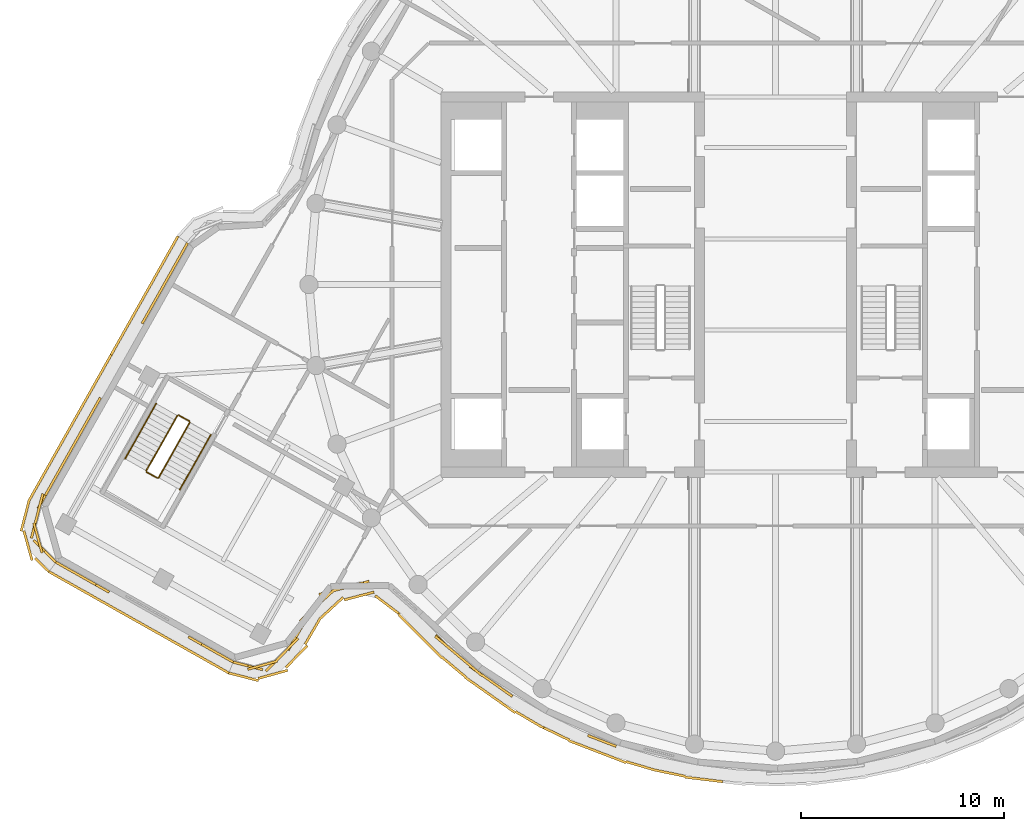
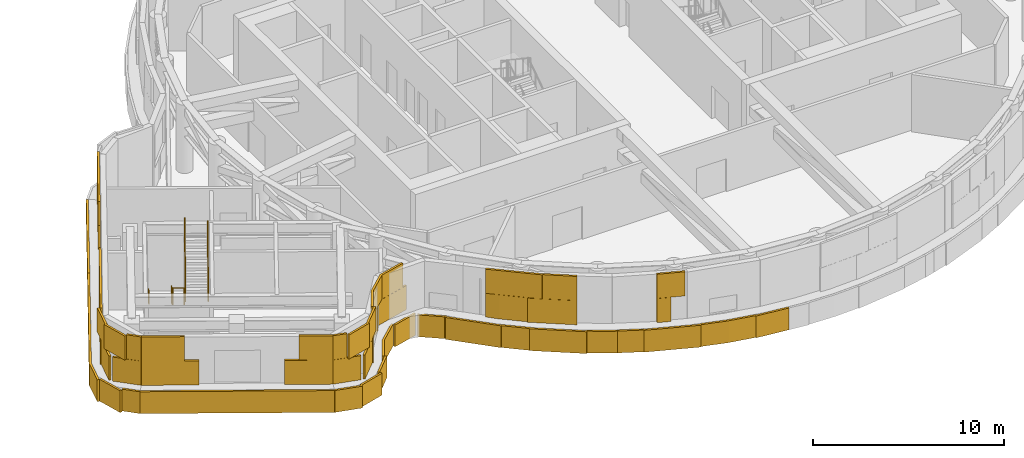
# One storey, part 11 of 15: 6 coverings, 6 railings.
"""IFC4 building model written with IfcOpenShell, lengths in metres."""

from ifc_helpers import new_model, si_unit, direction, frame, origin, origin_2d, place, context, subcontext, project, spatial, rectangle, circle, extrude, material, layer, layer_set, type_object, element, save


model = new_model("IFC4")

# Units and contexts
model_context = context("Model", 3, precision=1e-05, world=origin(), true_north=direction((0.0, 1.0)))
body_context = subcontext(model_context, "Body", "Model", "MODEL_VIEW")
ifc_project = project(units=[si_unit("LENGTHUNIT", "METRE"), si_unit("AREAUNIT", "SQUARE_METRE"), si_unit("VOLUMEUNIT", "CUBIC_METRE"), si_unit("PLANEANGLEUNIT", "RADIAN"), si_unit("MASSUNIT", "GRAM", prefix="KILO")], contexts=[model_context])

# Site, building, storey
site_placement = place(None, origin())
site = spatial("IfcSite", under=ifc_project, at=site_placement, CompositionType="ELEMENT")
building_placement = place(site_placement, origin())
building = spatial("IfcBuilding", under=site, at=building_placement, Name="Tamarind Cross Interchange Tower", CompositionType="ELEMENT")
storey_placement = place(building_placement, frame((0.0, 0.0, 252.300048828125)))
storey = spatial("IfcBuildingStorey", under=building, at=storey_placement, Name="L64", CompositionType="ELEMENT", Elevation=252.300048828125)

# Railings
ifc_material_1 = material(Name="Stair guard")
railing_type_1 = type_object("IfcRailingType", Name="Stair guard", PredefinedType="GUARDRAIL", material=ifc_material_1)
railing_1_placement = place(storey_placement, frame((-29.484130859375, -6.45751953125, 0.173095703125)))
element("IfcRailing", 1, at=railing_1_placement, inside=storey, type_object=railing_type_1, Name="L64 ST5 stair guard 1", PredefinedType="GUARDRAIL", context=body_context, shape_type="SweptSolid", body=[
    extrude(circle(Radius=0.02392578125, at=origin_2d()), frame((0.0, 0.0, 1.076171875), z_axis=(-0.408664103036, -0.725225712974, 0.554113089659), x_axis=(0.871203322264, -0.490922367872, 0.0)), (0.0, 0.0, 1.0), 3.748046875),
    extrude(circle(Radius=0.02099609375, at=origin_2d()), origin(), (0.0, 0.0, 1.0), 1.052001953125),
    extrude(circle(Radius=0.02099609375, at=origin_2d()), frame((-0.3828125, -0.6796875, 0.519287109375)), (0.0, 0.0, 1.0), 1.052001953125),
    extrude(circle(Radius=0.02099609375, at=origin_2d()), frame((-0.765869140625, -1.359130859375, 1.03857421875)), (0.0, 0.0, 1.0), 1.052001953125),
    extrude(circle(Radius=0.02099609375, at=origin_2d()), frame((-1.14892578125, -2.03857421875, 1.5576171875)), (0.0, 0.0, 1.0), 1.052001953125),
    extrude(circle(Radius=0.02099609375, at=origin_2d()), frame((-1.53173828125, -2.71826171875, 2.076904296875)), (0.0, 0.0, 1.0), 1.052001953125),
])
railing_2_placement = place(storey_placement, frame((-30.996826171875, -9.243896484375, 2.25)))
element("IfcRailing", 2, at=railing_2_placement, inside=storey, type_object=railing_type_1, Name="L64 ST5 stair guard 2", PredefinedType="GUARDRAIL", context=body_context, shape_type="SweptSolid", body=[
    extrude(circle(Radius=0.02392578125, at=origin_2d()), frame((0.0, 0.0, 1.076171875), z_axis=(0.87128194161, -0.490782821851, 0.0), x_axis=(0.490782821851, 0.87128194161, 0.0)), (0.0, 0.0, 1.0), 0.599853515625),
    extrude(circle(Radius=0.02099609375, at=origin_2d()), origin(), (0.0, 0.0, 1.0), 1.052001953125),
    extrude(circle(Radius=0.02099609375, at=origin_2d()), frame((0.522705078125, -0.29443359375, 0.0)), (0.0, 0.0, 1.0), 1.052001953125),
])
railing_3_placement = place(storey_placement, frame((-30.406005859375, -9.519287109375, 2.423095703125)))
element("IfcRailing", 3, at=railing_3_placement, inside=storey, type_object=railing_type_1, Name="L64 ST5 stair guard 3", PredefinedType="GUARDRAIL", context=body_context, shape_type="SweptSolid", body=[
    extrude(circle(Radius=0.02392578125, at=origin_2d()), frame((0.0, 0.0, 1.076171875), z_axis=(0.408683408174, 0.725194833154, 0.554139265754), x_axis=(-0.871184462408, 0.490955835548, 0.0)), (0.0, 0.0, 1.0), 3.748046875),
    extrude(circle(Radius=0.02099609375, at=origin_2d()), origin(), (0.0, 0.0, 1.0), 1.052001953125),
    extrude(circle(Radius=0.02099609375, at=origin_2d()), frame((0.3828125, 0.679443359375, 0.519287109375)), (0.0, 0.0, 1.0), 1.052001953125),
    extrude(circle(Radius=0.02099609375, at=origin_2d()), frame((0.765869140625, 1.35888671875, 1.03857421875)), (0.0, 0.0, 1.0), 1.052001953125),
    extrude(circle(Radius=0.02099609375, at=origin_2d()), frame((1.14892578125, 2.03857421875, 1.5576171875)), (0.0, 0.0, 1.0), 1.052001953125),
    extrude(circle(Radius=0.02099609375, at=origin_2d()), frame((1.53173828125, 2.718017578125, 2.076904296875)), (0.0, 0.0, 1.0), 1.052001953125),
])
railing_4_placement = place(storey_placement, frame((-29.416015625, -6.4384765625, 0.0)))
element("IfcRailing", 4, at=railing_4_placement, inside=storey, type_object=railing_type_1, Name="L64 ST5 stair guard 4", PredefinedType="GUARDRAIL", context=body_context, shape_type="SweptSolid", body=[
    extrude(circle(Radius=0.02392578125, at=origin_2d()), frame((0.0, 0.0, 1.076171875), z_axis=(0.87110790525, -0.491091658868, 0.0), x_axis=(0.491091658868, 0.87110790525, 0.0)), (0.0, 0.0, 1.0), 0.60009765625),
    extrude(circle(Radius=0.02099609375, at=origin_2d()), origin(), (0.0, 0.0, 1.0), 1.052001953125),
    extrude(circle(Radius=0.02099609375, at=origin_2d()), frame((0.522705078125, -0.294677734375, 0.0)), (0.0, 0.0, 1.0), 1.052001953125),
])
ifc_material_2 = material(Name="Stair handrail")
railing_type_2 = type_object("IfcRailingType", Name="Stair handrail", PredefinedType="HANDRAIL", material=ifc_material_2)
railing_5_placement = place(storey_placement, frame((-30.529541015625, -5.868408203125, 0.173095703125)))
element("IfcRailing", 5, at=railing_5_placement, inside=storey, type_object=railing_type_2, Name="L64 ST5 stair handrail 1", PredefinedType="HANDRAIL", context=body_context, shape_type="SweptSolid", body=[
    extrude(circle(Radius=0.02392578125, at=origin_2d()), frame((0.0, 0.0, 0.8759765625), z_axis=(-0.408664103036, -0.725225712974, 0.554113089659), x_axis=(0.871203322264, -0.490922367872, 0.0)), (0.0, 0.0, 1.0), 3.748046875),
    extrude(circle(Radius=0.02099609375, at=origin_2d()), origin(), (0.0, 0.0, 1.0), 0.851806640625),
    extrude(circle(Radius=0.02099609375, at=origin_2d()), frame((-0.3828125, -0.6796875, 0.519287109375)), (0.0, 0.0, 1.0), 0.851806640625),
    extrude(circle(Radius=0.02099609375, at=origin_2d()), frame((-0.765869140625, -1.359130859375, 1.03857421875)), (0.0, 0.0, 1.0), 0.851806640625),
    extrude(circle(Radius=0.02099609375, at=origin_2d()), frame((-1.14892578125, -2.03857421875, 1.5576171875)), (0.0, 0.0, 1.0), 0.851806640625),
    extrude(circle(Radius=0.02099609375, at=origin_2d()), frame((-1.53173828125, -2.71826171875, 2.076904296875)), (0.0, 0.0, 1.0), 0.851806640625),
])
railing_6_placement = place(storey_placement, frame((-29.360595703125, -10.1083984375, 2.423095703125)))
element("IfcRailing", 6, at=railing_6_placement, inside=storey, type_object=railing_type_2, Name="L64 ST5 stair handrail 2", PredefinedType="HANDRAIL", context=body_context, shape_type="SweptSolid", body=[
    extrude(circle(Radius=0.02392578125, at=origin_2d()), frame((0.0, 0.0, 0.8759765625), z_axis=(0.408683408174, 0.725194833154, 0.554139265754), x_axis=(-0.871184462408, 0.490955835548, 0.0)), (0.0, 0.0, 1.0), 3.748046875),
    extrude(circle(Radius=0.02099609375, at=origin_2d()), origin(), (0.0, 0.0, 1.0), 0.851806640625),
    extrude(circle(Radius=0.02099609375, at=origin_2d()), frame((0.3828125, 0.679443359375, 0.519287109375)), (0.0, 0.0, 1.0), 0.851806640625),
    extrude(circle(Radius=0.02099609375, at=origin_2d()), frame((0.765869140625, 1.35888671875, 1.03857421875)), (0.0, 0.0, 1.0), 0.851806640625),
    extrude(circle(Radius=0.02099609375, at=origin_2d()), frame((1.14892578125, 2.03857421875, 1.5576171875)), (0.0, 0.0, 1.0), 0.851806640625),
    extrude(circle(Radius=0.02099609375, at=origin_2d()), frame((1.53173828125, 2.718017578125, 2.076904296875)), (0.0, 0.0, 1.0), 0.851806640625),
])

# Coverings
ifc_material_3 = material(Name="Terracotta", Category="masonry")
ifc_layer = layer(ifc_material_3, 0.1201171875)
ifc_layer_set = layer_set([ifc_layer], Name="Terracotta")
covering_type = type_object("IfcCoveringType", Name="Terracotta baguette screen unit", PredefinedType="MOLDING", material=ifc_layer_set)
covering_1_placement = place(storey_placement, origin())
element("IfcCovering", 7, at=covering_1_placement, inside=storey, type_object=covering_type, Name="SCR-L64-00-00", PredefinedType="MOLDING", context=body_context, shape_type="SweptSolid", body=[
    extrude(rectangle(XDim=1.510009765625, YDim=0.1201171875, at=origin_2d()), frame((-34.813232421875, -14.056884765625, 1.404052734375), z_axis=(0.0, 0.0, 1.0), x_axis=(0.871200102162, -0.490928082303, 0.0)), (0.0, 0.0, 1.0), 1.5419921875),
    extrude(rectangle(XDim=1.52001953125, YDim=0.1201171875, at=origin_2d()), frame((-33.50634765625, -14.79345703125, 1.404052734375), z_axis=(0.0, 0.0, 1.0), x_axis=(0.871200102162, -0.490928082303, 0.0)), (0.0, 0.0, 1.0), 1.5419921875),
    extrude(rectangle(XDim=1.52001953125, YDim=0.1201171875, at=origin_2d()), frame((-28.279052734375, -17.739013671875, 1.404052734375), z_axis=(0.0, 0.0, 1.0), x_axis=(0.871200102162, -0.490928082303, 0.0)), (0.0, 0.0, 1.0), 1.5419921875),
    extrude(rectangle(XDim=1.03369140625, YDim=0.1201171875, at=origin_2d()), frame((-27.179931640625, -18.3583984375, 1.404052734375), z_axis=(0.0, 0.0, 1.0), x_axis=(0.871200102162, -0.490928082303, 0.0)), (0.0, 0.0, 1.0), 1.5419921875),
    extrude(rectangle(XDim=0.760009765625, YDim=0.1201171875, at=origin_2d()), frame((-35.139892578125, -13.872802734375, 2.953857421875), z_axis=(0.0, 0.0, 1.0), x_axis=(0.871200102162, -0.490928082303, 0.0)), (0.0, 0.0, 1.0), 1.5419921875),
    extrude(rectangle(XDim=1.52001953125, YDim=0.1201171875, at=origin_2d()), frame((-34.15966796875, -14.425048828125, 2.953857421875), z_axis=(0.0, 0.0, 1.0), x_axis=(0.871200102162, -0.490928082303, 0.0)), (0.0, 0.0, 1.0), 1.5419921875),
    extrude(rectangle(XDim=1.52001953125, YDim=0.1201171875, at=origin_2d()), frame((-27.625732421875, -18.107177734375, 2.953857421875), z_axis=(0.0, 0.0, 1.0), x_axis=(0.871200102162, -0.490928082303, 0.0)), (0.0, 0.0, 1.0), 1.5419921875),
    extrude(rectangle(XDim=0.28369140625, YDim=0.1201171875, at=origin_2d()), frame((-26.85302734375, -18.54248046875, 2.953857421875), z_axis=(0.0, 0.0, 1.0), x_axis=(0.871200102162, -0.490928082303, 0.0)), (0.0, 0.0, 1.0), 1.5419921875),
    extrude(rectangle(XDim=1.510009765625, YDim=0.1201171875, at=origin_2d()), frame((-35.156494140625, -14.5224609375, 0.00390625), z_axis=(0.0, 0.0, 1.0), x_axis=(0.871200102162, -0.490928082303, 0.0)), (0.0, 0.0, 1.0), 1.39208984375),
    extrude(rectangle(XDim=1.52001953125, YDim=0.1201171875, at=origin_2d()), frame((-33.85400390625, -15.25634765625, 0.00390625), z_axis=(0.0, 0.0, 1.0), x_axis=(0.871200102162, -0.490928082303, 0.0)), (0.0, 0.0, 1.0), 1.39208984375),
    extrude(rectangle(XDim=1.52001953125, YDim=0.1201171875, at=origin_2d()), frame((-32.547119140625, -15.99267578125, 0.00390625), z_axis=(0.0, 0.0, 1.0), x_axis=(0.871200102162, -0.490928082303, 0.0)), (0.0, 0.0, 1.0), 1.39208984375),
    extrude(rectangle(XDim=1.52001953125, YDim=0.1201171875, at=origin_2d()), frame((-31.240478515625, -16.72900390625, 0.00390625), z_axis=(0.0, 0.0, 1.0), x_axis=(0.871200102162, -0.490928082303, 0.0)), (0.0, 0.0, 1.0), 1.39208984375),
    extrude(rectangle(XDim=1.52001953125, YDim=0.1201171875, at=origin_2d()), frame((-29.93359375, -17.465576171875, 0.00390625), z_axis=(0.0, 0.0, 1.0), x_axis=(0.871200102162, -0.490928082303, 0.0)), (0.0, 0.0, 1.0), 1.39208984375),
    extrude(rectangle(XDim=1.52001953125, YDim=0.1201171875, at=origin_2d()), frame((-28.626708984375, -18.201904296875, 0.00390625), z_axis=(0.0, 0.0, 1.0), x_axis=(0.871200102162, -0.490928082303, 0.0)), (0.0, 0.0, 1.0), 1.39208984375),
    extrude(rectangle(XDim=1.184814453125, YDim=0.1201171875, at=origin_2d()), frame((-27.466064453125, -18.85595703125, 0.00390625), z_axis=(0.0, 0.0, 1.0), x_axis=(0.871200102162, -0.490928082303, 0.0)), (0.0, 0.0, 1.0), 1.39208984375),
])
covering_2_placement = place(storey_placement, origin())
element("IfcCovering", 8, at=covering_2_placement, inside=storey, type_object=covering_type, Name="SCR-L64-01-00", PredefinedType="MOLDING", context=body_context, shape_type="SweptSolid", body=[
    extrude(rectangle(XDim=1.510009765625, YDim=0.1201171875, at=origin_2d()), frame((-26.007568359375, -18.796142578125, 1.404052734375), z_axis=(0.0, 0.0, 1.0), x_axis=(0.968576216019, -0.248716935012, 0.0)), (0.0, 0.0, 1.0), 1.5419921875),
    extrude(rectangle(XDim=1.52001953125, YDim=0.1201171875, at=origin_2d()), frame((-24.586181640625, -18.5166015625, 1.404052734375), z_axis=(0.0, 0.0, 1.0), x_axis=(0.699683292082, 0.714453141068, 0.0)), (0.0, 0.0, 1.0), 1.5419921875),
    extrude(rectangle(XDim=1.52001953125, YDim=0.1201171875, at=origin_2d()), frame((-23.639404296875, -17.366455078125, 1.404052734375), z_axis=(0.0, 0.0, 1.0), x_axis=(0.503460843002, 0.86401804354, 0.0)), (0.0, 0.0, 1.0), 1.5419921875),
    extrude(rectangle(XDim=1.52001953125, YDim=0.1201171875, at=origin_2d()), frame((-22.87548828125, -16.07763671875, 1.404052734375), z_axis=(0.0, 0.0, 1.0), x_axis=(0.736050390788, 0.676926748046, 0.0)), (0.0, 0.0, 1.0), 1.5419921875),
    extrude(rectangle(XDim=1.52001953125, YDim=0.1201171875, at=origin_2d()), frame((-21.7607421875, -15.081787109375, 1.404052734375), z_axis=(0.0, 0.0, 1.0), x_axis=(0.967453487503, 0.253048907365, 0.0)), (0.0, 0.0, 1.0), 1.5419921875),
    extrude(rectangle(XDim=1.04150390625, YDim=0.1201171875, at=origin_2d()), frame((-20.5361328125, -14.761474609375, 1.404052734375), z_axis=(0.0, 0.0, 1.0), x_axis=(0.967453487503, 0.253048907365, 0.0)), (0.0, 0.0, 1.0), 1.5419921875),
    extrude(rectangle(XDim=0.760009765625, YDim=0.1201171875, at=origin_2d()), frame((-26.37060546875, -18.702880859375, 2.953857421875), z_axis=(0.0, 0.0, 1.0), x_axis=(0.968576216019, -0.248716935012, 0.0)), (0.0, 0.0, 1.0), 1.5419921875),
    extrude(rectangle(XDim=1.52001953125, YDim=0.1201171875, at=origin_2d()), frame((-25.283447265625, -18.7607421875, 2.953857421875), z_axis=(0.0, 0.0, 1.0), x_axis=(0.96317007608, 0.268892923938, 0.0)), (0.0, 0.0, 1.0), 1.5419921875),
    extrude(rectangle(XDim=1.52001953125, YDim=0.1201171875, at=origin_2d()), frame((-24.061279296875, -17.98095703125, 2.953857421875), z_axis=(0.0, 0.0, 1.0), x_axis=(0.699683292082, 0.714453141068, 0.0)), (0.0, 0.0, 1.0), 1.5419921875),
    extrude(rectangle(XDim=1.52001953125, YDim=0.1201171875, at=origin_2d()), frame((-23.261962890625, -16.718505859375, 2.953857421875), z_axis=(0.0, 0.0, 1.0), x_axis=(0.503460843002, 0.86401804354, 0.0)), (0.0, 0.0, 1.0), 1.5419921875),
    extrude(rectangle(XDim=1.52001953125, YDim=0.1201171875, at=origin_2d()), frame((-22.323486328125, -15.570068359375, 2.953857421875), z_axis=(0.0, 0.0, 1.0), x_axis=(0.736050390788, 0.676926748046, 0.0)), (0.0, 0.0, 1.0), 1.5419921875),
    extrude(rectangle(XDim=1.52001953125, YDim=0.1201171875, at=origin_2d()), frame((-21.03515625, -14.891845703125, 2.953857421875), z_axis=(0.0, 0.0, 1.0), x_axis=(0.967453487503, 0.253048907365, 0.0)), (0.0, 0.0, 1.0), 1.5419921875),
    extrude(rectangle(XDim=1.510009765625, YDim=0.1201171875, at=origin_2d()), frame((-26.218505859375, -19.334716796875, 0.00390625), z_axis=(0.0, 0.0, 1.0), x_axis=(0.968576216019, -0.248716935012, 0.0)), (0.0, 0.0, 1.0), 1.39208984375),
    extrude(rectangle(XDim=1.52001953125, YDim=0.1201171875, at=origin_2d()), frame((-24.775634765625, -19.215087890625, 0.00390625), z_axis=(0.0, 0.0, 1.0), x_axis=(0.96317007608, 0.268892923938, 0.0)), (0.0, 0.0, 1.0), 1.39208984375),
    extrude(rectangle(XDim=1.52001953125, YDim=0.1201171875, at=origin_2d()), frame((-23.60986328125, -18.340087890625, 0.00390625), z_axis=(0.0, 0.0, 1.0), x_axis=(0.699683292082, 0.714453141068, 0.0)), (0.0, 0.0, 1.0), 1.39208984375),
    extrude(rectangle(XDim=1.52001953125, YDim=0.1201171875, at=origin_2d()), frame((-22.807861328125, -17.07958984375, 0.00390625), z_axis=(0.0, 0.0, 1.0), x_axis=(0.503460843002, 0.86401804354, 0.0)), (0.0, 0.0, 1.0), 1.39208984375),
    extrude(rectangle(XDim=1.52001953125, YDim=0.1201171875, at=origin_2d()), frame((-21.86865234375, -15.931640625, 0.00390625), z_axis=(0.0, 0.0, 1.0), x_axis=(0.736050390788, 0.676926748046, 0.0)), (0.0, 0.0, 1.0), 1.39208984375),
    extrude(rectangle(XDim=1.52001953125, YDim=0.1201171875, at=origin_2d()), frame((-20.526611328125, -15.352294921875, 0.00390625), z_axis=(0.0, 0.0, 1.0), x_axis=(0.967453487503, 0.253048907365, 0.0)), (0.0, 0.0, 1.0), 1.39208984375),
    extrude(rectangle(XDim=1.438720703125, YDim=0.1201171875, at=origin_2d()), frame((-19.159423828125, -15.771484375, 0.00390625), z_axis=(0.0, 0.0, 1.0), x_axis=(0.796471897195, -0.604675546867, 0.0)), (0.0, 0.0, 1.0), 1.39208984375),
])
covering_3_placement = place(storey_placement, origin())
element("IfcCovering", 9, at=covering_3_placement, inside=storey, type_object=covering_type, Name="SCR-L64-01-01", PredefinedType="MOLDING", context=body_context, shape_type="SweptSolid", body=[
    extrude(rectangle(XDim=0.778564453125, YDim=0.1201171875, at=origin_2d()), frame((-16.470947265625, -17.558349609375, 1.404052734375), z_axis=(0.0, 0.0, 1.0), x_axis=(0.710143317658, -0.704057148523, 0.0)), (0.0, 0.0, 1.0), 1.5419921875),
    extrude(rectangle(XDim=1.52001953125, YDim=0.1201171875, at=origin_2d()), frame((-15.62060546875, -18.307861328125, 1.404052734375), z_axis=(0.0, 0.0, 1.0), x_axis=(0.765858396687, -0.643009266048, 0.0)), (0.0, 0.0, 1.0), 1.5419921875),
    extrude(rectangle(XDim=1.52001953125, YDim=0.1201171875, at=origin_2d()), frame((-14.455810546875, -19.251953125, 1.404052734375), z_axis=(0.0, 0.0, 1.0), x_axis=(0.816341886298, -0.577568978284, 0.0)), (0.0, 0.0, 1.0), 1.5419921875),
    extrude(rectangle(XDim=1.0751953125, YDim=0.1201171875, at=origin_2d()), frame((-13.408935546875, -19.99267578125, 1.404052734375), z_axis=(0.0, 0.0, 1.0), x_axis=(0.816341886298, -0.577568978284, 0.0)), (0.0, 0.0, 1.0), 1.5419921875),
    extrude(rectangle(XDim=1.52001953125, YDim=0.1201171875, at=origin_2d()), frame((-16.19482421875, -17.82568359375, 2.953857421875), z_axis=(0.0, 0.0, 1.0), x_axis=(0.765858396687, -0.643009266048, 0.0)), (0.0, 0.0, 1.0), 1.5419921875),
    extrude(rectangle(XDim=1.52001953125, YDim=0.1201171875, at=origin_2d()), frame((-15.046142578125, -18.790283203125, 2.953857421875), z_axis=(0.0, 0.0, 1.0), x_axis=(0.765858396687, -0.643009266048, 0.0)), (0.0, 0.0, 1.0), 1.5419921875),
    extrude(rectangle(XDim=1.52001953125, YDim=0.1201171875, at=origin_2d()), frame((-13.84375, -19.68505859375, 2.953857421875), z_axis=(0.0, 0.0, 1.0), x_axis=(0.816341886298, -0.577568978284, 0.0)), (0.0, 0.0, 1.0), 1.5419921875),
    extrude(rectangle(XDim=0.3251953125, YDim=0.1201171875, at=origin_2d()), frame((-13.102783203125, -20.209228515625, 2.953857421875), z_axis=(0.0, 0.0, 1.0), x_axis=(0.816341886298, -0.577568978284, 0.0)), (0.0, 0.0, 1.0), 1.5419921875),
    extrude(rectangle(XDim=0.081298828125, YDim=0.1201171875, at=origin_2d()), frame((-18.553955078125, -16.231201171875, 0.00390625), z_axis=(0.0, 0.0, 1.0), x_axis=(0.796471897195, -0.604675546867, 0.0)), (0.0, 0.0, 1.0), 1.39208984375),
    extrude(rectangle(XDim=1.52001953125, YDim=0.1201171875, at=origin_2d()), frame((-18.036376953125, -16.814697265625, 0.00390625), z_axis=(0.0, 0.0, 1.0), x_axis=(0.710143317658, -0.704057148523, 0.0)), (0.0, 0.0, 1.0), 1.39208984375),
    extrude(rectangle(XDim=1.52001953125, YDim=0.1201171875, at=origin_2d()), frame((-16.97119140625, -17.87060546875, 0.00390625), z_axis=(0.0, 0.0, 1.0), x_axis=(0.710143317658, -0.704057148523, 0.0)), (0.0, 0.0, 1.0), 1.39208984375),
    extrude(rectangle(XDim=1.52001953125, YDim=0.1201171875, at=origin_2d()), frame((-15.849609375, -18.864990234375, 0.00390625), z_axis=(0.0, 0.0, 1.0), x_axis=(0.765858396687, -0.643009266048, 0.0)), (0.0, 0.0, 1.0), 1.39208984375),
    extrude(rectangle(XDim=1.52001953125, YDim=0.1201171875, at=origin_2d()), frame((-14.677001953125, -19.798583984375, 0.00390625), z_axis=(0.0, 0.0, 1.0), x_axis=(0.816341886298, -0.577568978284, 0.0)), (0.0, 0.0, 1.0), 1.39208984375),
    extrude(rectangle(XDim=1.52001953125, YDim=0.1201171875, at=origin_2d()), frame((-13.452392578125, -20.6650390625, 0.00390625), z_axis=(0.0, 0.0, 1.0), x_axis=(0.816341886298, -0.577568978284, 0.0)), (0.0, 0.0, 1.0), 1.39208984375),
    extrude(rectangle(XDim=1.52001953125, YDim=0.1201171875, at=origin_2d()), frame((-12.16357421875, -21.431884765625, 0.00390625), z_axis=(0.0, 0.0, 1.0), x_axis=(0.861248933065, -0.508183308752, 0.0)), (0.0, 0.0, 1.0), 1.39208984375),
    extrude(rectangle(XDim=0.116943359375, YDim=0.1201171875, at=origin_2d()), frame((-11.46826171875, -21.823486328125, 0.00390625), z_axis=(0.0, 0.0, 1.0), x_axis=(0.900272776334, -0.435326231914, 0.0)), (0.0, 0.0, 1.0), 1.39208984375),
])
covering_4_placement = place(storey_placement, origin())
element("IfcCovering", 10, at=covering_4_placement, inside=storey, type_object=covering_type, Name="SCR-L64-01-02", PredefinedType="MOLDING", context=body_context, shape_type="SweptSolid", body=[
    extrude(rectangle(XDim=0.744873046875, YDim=0.1201171875, at=origin_2d()), frame((-8.904541015625, -22.359130859375, 1.404052734375), z_axis=(0.0, 0.0, 1.0), x_axis=(0.933146843667, -0.359495435512, 0.0)), (0.0, 0.0, 1.0), 1.5419921875),
    extrude(rectangle(XDim=1.494873046875, YDim=0.1201171875, at=origin_2d()), frame((-8.554443359375, -22.493896484375, 2.953857421875), z_axis=(0.0, 0.0, 1.0), x_axis=(0.933146843667, -0.359495435512, 0.0)), (0.0, 0.0, 1.0), 1.5419921875),
    extrude(rectangle(XDim=1.40283203125, YDim=0.1201171875, at=origin_2d()), frame((-10.783935546875, -22.154296875, 0.00390625), z_axis=(0.0, 0.0, 1.0), x_axis=(0.900272776334, -0.435326231914, 0.0)), (0.0, 0.0, 1.0), 1.39208984375),
    extrude(rectangle(XDim=1.52001953125, YDim=0.1201171875, at=origin_2d()), frame((-9.474609375, -22.754638671875, 0.00390625), z_axis=(0.0, 0.0, 1.0), x_axis=(0.933146843667, -0.359495435512, 0.0)), (0.0, 0.0, 1.0), 1.39208984375),
    extrude(rectangle(XDim=1.52001953125, YDim=0.1201171875, at=origin_2d()), frame((-8.07470703125, -23.2939453125, 0.00390625), z_axis=(0.0, 0.0, 1.0), x_axis=(0.933146843667, -0.359495435512, 0.0)), (0.0, 0.0, 1.0), 1.39208984375),
    extrude(rectangle(XDim=1.52001953125, YDim=0.1201171875, at=origin_2d()), frame((-6.64013671875, -23.729736328125, 0.00390625), z_axis=(0.0, 0.0, 1.0), x_axis=(0.95964657186, -0.281208920763, 0.0)), (0.0, 0.0, 1.0), 1.39208984375),
    extrude(rectangle(XDim=1.52001953125, YDim=0.1201171875, at=origin_2d()), frame((-5.18505859375, -24.0888671875, 0.00390625), z_axis=(0.0, 0.0, 1.0), x_axis=(0.9795909409, -0.201001463943, 0.0)), (0.0, 0.0, 1.0), 1.39208984375),
    extrude(rectangle(XDim=1.52001953125, YDim=0.1201171875, at=origin_2d()), frame((-3.71240234375, -24.37060546875, 0.00390625), z_axis=(0.0, 0.0, 1.0), x_axis=(0.992843710523, -0.119420963295, 0.0)), (0.0, 0.0, 1.0), 1.39208984375),
    extrude(rectangle(XDim=0.3759765625, YDim=0.1201171875, at=origin_2d()), frame((-2.791015625, -24.4814453125, 0.00390625), z_axis=(0.0, 0.0, 1.0), x_axis=(0.992843710523, -0.119420963295, 0.0)), (0.0, 0.0, 1.0), 1.39208984375),
])
covering_5_placement = place(storey_placement, origin())
element("IfcCovering", 11, at=covering_5_placement, inside=storey, type_object=covering_type, Name="SCR-L64-05-00", PredefinedType="MOLDING", context=body_context, shape_type="SweptSolid", body=[
    extrude(rectangle(XDim=1.510009765625, YDim=0.1201171875, at=origin_2d()), frame((-29.354736328125, 1.390380859375, 1.404052734375), z_axis=(0.0, 0.0, 1.0), x_axis=(-0.490928082303, -0.871200102162, 0.0)), (0.0, 0.0, 1.0), 1.5419921875),
    extrude(rectangle(XDim=1.52001953125, YDim=0.1201171875, at=origin_2d()), frame((-30.091064453125, 0.083740234375, 1.404052734375), z_axis=(0.0, 0.0, 1.0), x_axis=(-0.490928082303, -0.871200102162, 0.0)), (0.0, 0.0, 1.0), 1.5419921875),
    extrude(rectangle(XDim=1.52001953125, YDim=0.1201171875, at=origin_2d()), frame((-30.827392578125, -1.22314453125, 1.404052734375), z_axis=(0.0, 0.0, 1.0), x_axis=(-0.490928082303, -0.871200102162, 0.0)), (0.0, 0.0, 1.0), 1.5419921875),
    extrude(rectangle(XDim=0.760009765625, YDim=0.1201171875, at=origin_2d()), frame((-29.170654296875, 1.71728515625, 2.953857421875), z_axis=(0.0, 0.0, 1.0), x_axis=(-0.490928082303, -0.871200102162, 0.0)), (0.0, 0.0, 1.0), 1.5419921875),
    extrude(rectangle(XDim=1.52001953125, YDim=0.1201171875, at=origin_2d()), frame((-29.722900390625, 0.737060546875, 2.953857421875), z_axis=(0.0, 0.0, 1.0), x_axis=(-0.490928082303, -0.871200102162, 0.0)), (0.0, 0.0, 1.0), 1.5419921875),
    extrude(rectangle(XDim=1.52001953125, YDim=0.1201171875, at=origin_2d()), frame((-30.459228515625, -0.569580078125, 2.953857421875), z_axis=(0.0, 0.0, 1.0), x_axis=(-0.490928082303, -0.871200102162, 0.0)), (0.0, 0.0, 1.0), 1.5419921875),
    extrude(rectangle(XDim=0.810546875, YDim=0.1201171875, at=origin_2d()), frame((-31.02392578125, -1.57177734375, 2.953857421875), z_axis=(0.0, 0.0, 1.0), x_axis=(-0.490928082303, -0.871200102162, 0.0)), (0.0, 0.0, 1.0), 1.5419921875),
    extrude(rectangle(XDim=1.510009765625, YDim=0.1201171875, at=origin_2d()), frame((-29.82568359375, 1.7236328125, 0.00390625), z_axis=(0.0, 0.0, 1.0), x_axis=(-0.490928082303, -0.871200102162, 0.0)), (0.0, 0.0, 1.0), 1.39208984375),
    extrude(rectangle(XDim=1.52001953125, YDim=0.1201171875, at=origin_2d()), frame((-30.5595703125, 0.42138671875, 0.00390625), z_axis=(0.0, 0.0, 1.0), x_axis=(-0.490928082303, -0.871200102162, 0.0)), (0.0, 0.0, 1.0), 1.39208984375),
    extrude(rectangle(XDim=1.52001953125, YDim=0.1201171875, at=origin_2d()), frame((-31.296142578125, -0.885498046875, 0.00390625), z_axis=(0.0, 0.0, 1.0), x_axis=(-0.490928082303, -0.871200102162, 0.0)), (0.0, 0.0, 1.0), 1.39208984375),
    extrude(rectangle(XDim=1.52001953125, YDim=0.1201171875, at=origin_2d()), frame((-32.032470703125, -2.1923828125, 0.00390625), z_axis=(0.0, 0.0, 1.0), x_axis=(-0.490928082303, -0.871200102162, 0.0)), (0.0, 0.0, 1.0), 1.39208984375),
    extrude(rectangle(XDim=0.723388671875, YDim=0.1201171875, at=origin_2d()), frame((-32.5732421875, -3.152099609375, 0.00390625), z_axis=(0.0, 0.0, 1.0), x_axis=(-0.490928082303, -0.871200102162, 0.0)), (0.0, 0.0, 1.0), 1.39208984375),
])
covering_6_placement = place(storey_placement, origin())
element("IfcCovering", 12, at=covering_6_placement, inside=storey, type_object=covering_type, Name="SCR-L64-05-01", PredefinedType="MOLDING", context=body_context, shape_type="SweptSolid", body=[
    extrude(rectangle(XDim=1.52001953125, YDim=0.1201171875, at=origin_2d()), frame((-33.77294921875, -6.4501953125, 1.404052734375), z_axis=(0.0, 0.0, 1.0), x_axis=(-0.490928082303, -0.871200102162, 0.0)), (0.0, 0.0, 1.0), 1.5419921875),
    extrude(rectangle(XDim=1.52001953125, YDim=0.1201171875, at=origin_2d()), frame((-34.50927734375, -7.757080078125, 1.404052734375), z_axis=(0.0, 0.0, 1.0), x_axis=(-0.490928082303, -0.871200102162, 0.0)), (0.0, 0.0, 1.0), 1.5419921875),
    extrude(rectangle(XDim=1.52001953125, YDim=0.1201171875, at=origin_2d()), frame((-35.245849609375, -9.06396484375, 1.404052734375), z_axis=(0.0, 0.0, 1.0), x_axis=(-0.490928082303, -0.871200102162, 0.0)), (0.0, 0.0, 1.0), 1.5419921875),
    extrude(rectangle(XDim=1.52001953125, YDim=0.1201171875, at=origin_2d()), frame((-35.982177734375, -10.37060546875, 1.404052734375), z_axis=(0.0, 0.0, 1.0), x_axis=(-0.490928082303, -0.871200102162, 0.0)), (0.0, 0.0, 1.0), 1.5419921875),
    extrude(rectangle(XDim=1.52001953125, YDim=0.1201171875, at=origin_2d()), frame((-36.49072265625, -11.76904296875, 1.404052734375), z_axis=(0.0, 0.0, 1.0), x_axis=(-0.248716935012, -0.968576216019, 0.0)), (0.0, 0.0, 1.0), 1.5419921875),
    extrude(rectangle(XDim=1.52001953125, YDim=0.1201171875, at=origin_2d()), frame((-36.027587890625, -13.13916015625, 1.404052734375), z_axis=(0.0, 0.0, 1.0), x_axis=(0.714453141068, -0.699683292082, 0.0)), (0.0, 0.0, 1.0), 1.5419921875),
    extrude(rectangle(XDim=0.04541015625, YDim=0.1201171875, at=origin_2d()), frame((-35.479248046875, -13.67626953125, 1.404052734375), z_axis=(0.0, 0.0, 1.0), x_axis=(0.714453141068, -0.699683292082, 0.0)), (0.0, 0.0, 1.0), 1.5419921875),
    extrude(rectangle(XDim=1.00927734375, YDim=0.1201171875, at=origin_2d()), frame((-33.527587890625, -6.014892578125, 2.953857421875), z_axis=(0.0, 0.0, 1.0), x_axis=(-0.490928082303, -0.871200102162, 0.0)), (0.0, 0.0, 1.0), 1.5419921875),
    extrude(rectangle(XDim=1.52001953125, YDim=0.1201171875, at=origin_2d()), frame((-34.14111328125, -7.103759765625, 2.953857421875), z_axis=(0.0, 0.0, 1.0), x_axis=(-0.490928082303, -0.871200102162, 0.0)), (0.0, 0.0, 1.0), 1.5419921875),
    extrude(rectangle(XDim=1.52001953125, YDim=0.1201171875, at=origin_2d()), frame((-34.877685546875, -8.410400390625, 2.953857421875), z_axis=(0.0, 0.0, 1.0), x_axis=(-0.490928082303, -0.871200102162, 0.0)), (0.0, 0.0, 1.0), 1.5419921875),
    extrude(rectangle(XDim=1.52001953125, YDim=0.1201171875, at=origin_2d()), frame((-35.614013671875, -9.71728515625, 2.953857421875), z_axis=(0.0, 0.0, 1.0), x_axis=(-0.490928082303, -0.871200102162, 0.0)), (0.0, 0.0, 1.0), 1.5419921875),
    extrude(rectangle(XDim=1.52001953125, YDim=0.1201171875, at=origin_2d()), frame((-36.30419921875, -11.042724609375, 2.953857421875), z_axis=(0.0, 0.0, 1.0), x_axis=(-0.248716935012, -0.968576216019, 0.0)), (0.0, 0.0, 1.0), 1.5419921875),
    extrude(rectangle(XDim=1.52001953125, YDim=0.1201171875, at=origin_2d()), frame((-36.356689453125, -12.4921875, 2.953857421875), z_axis=(0.0, 0.0, 1.0), x_axis=(0.268892923938, -0.96317007608, 0.0)), (0.0, 0.0, 1.0), 1.5419921875),
    extrude(rectangle(XDim=0.79541015625, YDim=0.1201171875, at=origin_2d()), frame((-35.7470703125, -13.4140625, 2.953857421875), z_axis=(0.0, 0.0, 1.0), x_axis=(0.714453141068, -0.699683292082, 0.0)), (0.0, 0.0, 1.0), 1.5419921875),
    extrude(rectangle(XDim=0.796630859375, YDim=0.1201171875, at=origin_2d()), frame((-32.9462890625, -3.814208984375, 0.00390625), z_axis=(0.0, 0.0, 1.0), x_axis=(-0.490928082303, -0.871200102162, 0.0)), (0.0, 0.0, 1.0), 1.39208984375),
    extrude(rectangle(XDim=1.52001953125, YDim=0.1201171875, at=origin_2d()), frame((-33.505126953125, -4.805908203125, 0.00390625), z_axis=(0.0, 0.0, 1.0), x_axis=(-0.490928082303, -0.871200102162, 0.0)), (0.0, 0.0, 1.0), 1.39208984375),
    extrude(rectangle(XDim=1.52001953125, YDim=0.1201171875, at=origin_2d()), frame((-34.24169921875, -6.11279296875, 0.00390625), z_axis=(0.0, 0.0, 1.0), x_axis=(-0.490928082303, -0.871200102162, 0.0)), (0.0, 0.0, 1.0), 1.39208984375),
    extrude(rectangle(XDim=1.52001953125, YDim=0.1201171875, at=origin_2d()), frame((-34.97802734375, -7.41943359375, 0.00390625), z_axis=(0.0, 0.0, 1.0), x_axis=(-0.490928082303, -0.871200102162, 0.0)), (0.0, 0.0, 1.0), 1.39208984375),
    extrude(rectangle(XDim=1.52001953125, YDim=0.1201171875, at=origin_2d()), frame((-35.71435546875, -8.726318359375, 0.00390625), z_axis=(0.0, 0.0, 1.0), x_axis=(-0.490928082303, -0.871200102162, 0.0)), (0.0, 0.0, 1.0), 1.39208984375),
    extrude(rectangle(XDim=1.52001953125, YDim=0.1201171875, at=origin_2d()), frame((-36.45068359375, -10.033203125, 0.00390625), z_axis=(0.0, 0.0, 1.0), x_axis=(-0.490928082303, -0.871200102162, 0.0)), (0.0, 0.0, 1.0), 1.39208984375),
    extrude(rectangle(XDim=1.52001953125, YDim=0.1201171875, at=origin_2d()), frame((-36.9931640625, -11.41796875, 0.00390625), z_axis=(0.0, 0.0, 1.0), x_axis=(-0.248716935012, -0.968576216019, 0.0)), (0.0, 0.0, 1.0), 1.39208984375),
    extrude(rectangle(XDim=1.52001953125, YDim=0.1201171875, at=origin_2d()), frame((-36.848388671875, -12.865478515625, 0.00390625), z_axis=(0.0, 0.0, 1.0), x_axis=(0.268892923938, -0.96317007608, 0.0)), (0.0, 0.0, 1.0), 1.39208984375),
    extrude(rectangle(XDim=0.951416015625, YDim=0.1201171875, at=origin_2d()), frame((-36.154052734375, -13.81884765625, 0.00390625), z_axis=(0.0, 0.0, 1.0), x_axis=(0.714453141068, -0.699683292082, 0.0)), (0.0, 0.0, 1.0), 1.39208984375),
])

save(model, "model.ifc")
